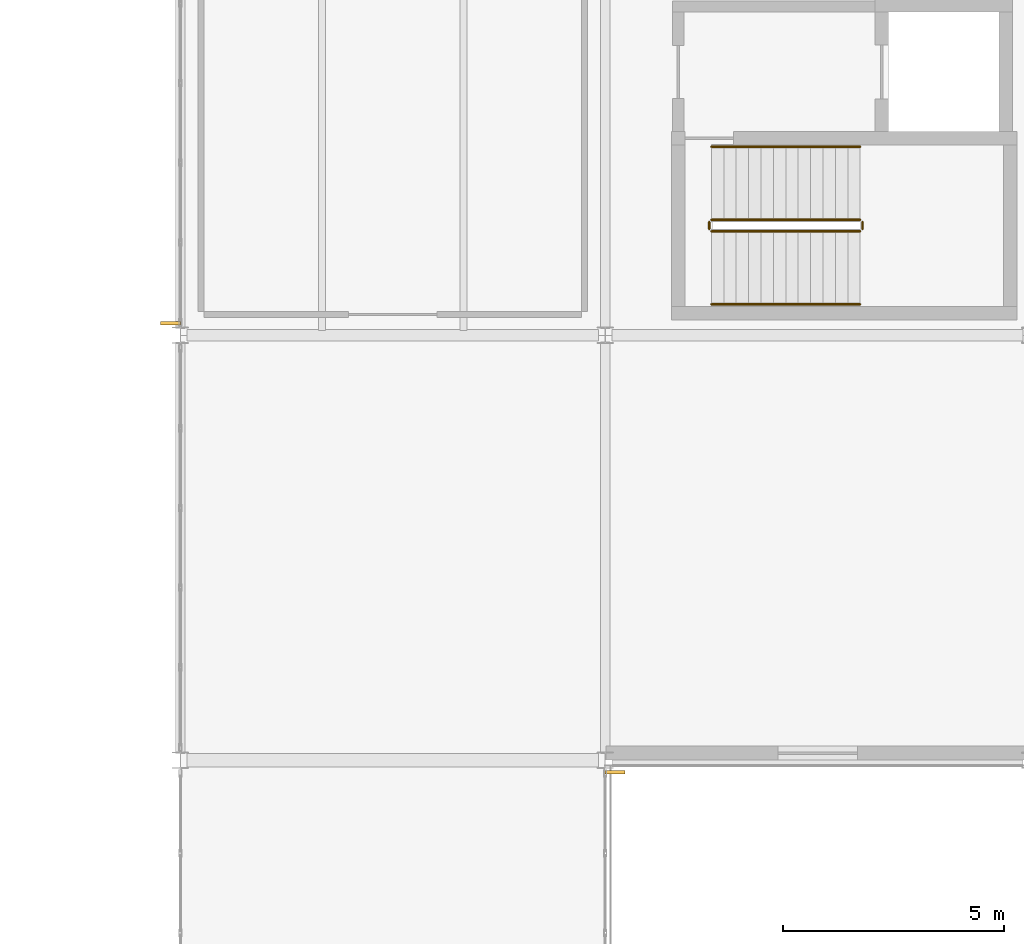
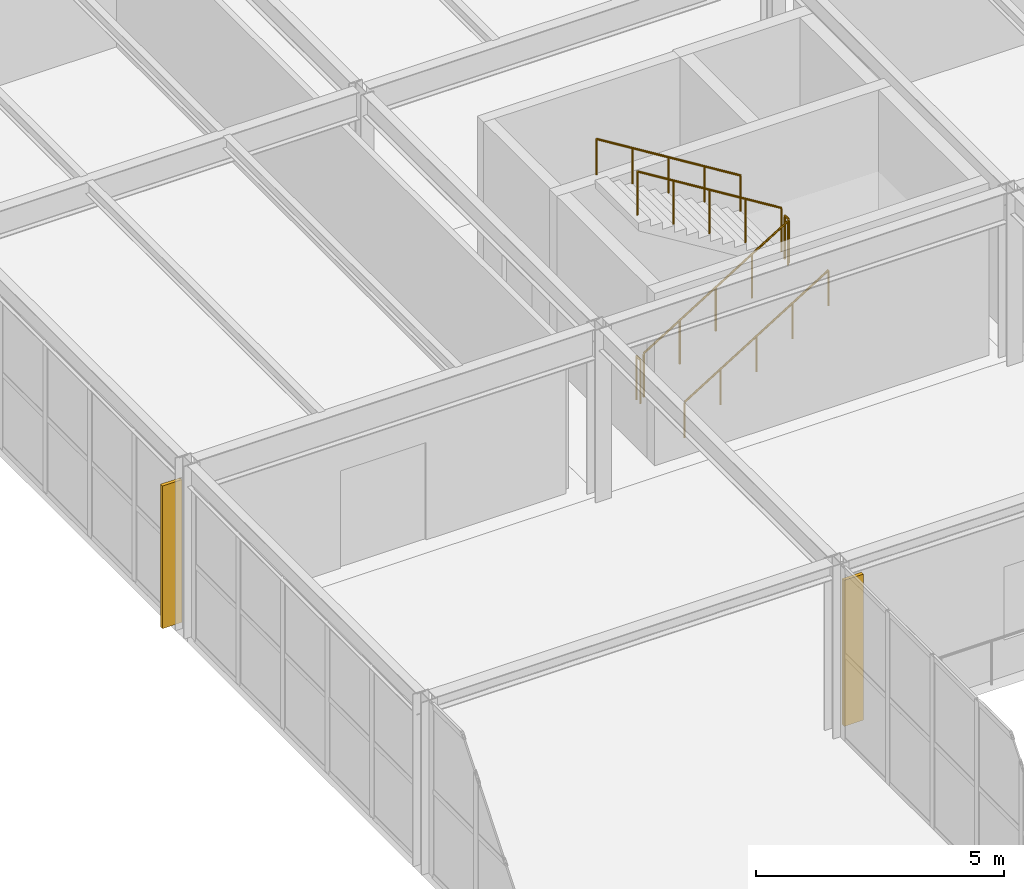
# One storey, part 164 of 170: 6 railings, 2 shading devices.
"""IFC4 building model written with IfcOpenShell, lengths in metres."""

import ifcopenshell
import ifcopenshell.guid

model = None  # the IFC model being written
_history = None  # IfcOwnerHistory: only IFC2X3 demands one
_inside = {}  # id of a spatial element -> (the spatial element, [elements in it])
_under = {}  # id of a project, library or spatial element -> (it, [spatial elements below it])
_declared = {}  # id of a project -> (the project, [libraries it declares])
_typed = {}  # id of a type object -> (the type object, [elements of that type])
_made_of = {}  # id of a material, layer set ... -> (it, [elements and type objects made of it])


def new_model(schema):
    """Start an empty IFC model of exactly this schema.

    Asked for "IFC4X3", IfcOpenShell would pick the latest addendum, in which some entities
    have other attributes; the version numbers below select the first issue.
    IFC2X3 requires an IfcOwnerHistory on every rooted entity: one is made here for all.
    """
    global model, _history
    if schema == "IFC4X3":
        model = ifcopenshell.file(schema_version=(4, 3, 0, 0))
    else:
        model = ifcopenshell.file(schema=schema)
    _inside.clear()
    _under.clear()
    _declared.clear()
    _typed.clear()
    _made_of.clear()
    _history = None
    if model.schema == "IFC2X3":
        org = make("IfcOrganization", Name="unknown")
        user = make(
            "IfcPersonAndOrganization",
            ThePerson=make("IfcPerson", FamilyName="unknown"),
            TheOrganization=org,
        )
        app = make(
            "IfcApplication",
            ApplicationDeveloper=org,
            Version="unknown",
            ApplicationFullName="unknown",
            ApplicationIdentifier="unknown",
        )
        _history = make(
            "IfcOwnerHistory",
            OwningUser=user,
            OwningApplication=app,
            ChangeAction="ADDED",
            CreationDate=0,
        )
    return model


def make(cls, **values):
    """One entity of the class cls with the attributes given. An attribute that is None is left unset."""
    return model.create_entity(
        cls, **{name: value for name, value in values.items() if value is not None}
    )


def rooted(cls, **values):
    """An entity with a GlobalId (a new one), such as an element, a storey or a relation."""
    return make(cls, GlobalId=ifcopenshell.guid.new(), OwnerHistory=_history, **values)


def si_unit(unit_type, name, prefix=None):
    """IfcSIUnit, for example si_unit("LENGTHUNIT", "METRE", prefix="MILLI")."""
    return make("IfcSIUnit", UnitType=unit_type, Prefix=prefix, Name=name)


def assignment(units):
    """IfcUnitAssignment: the units of a project."""
    return None if units is None else make("IfcUnitAssignment", Units=units)


def point(xyz):
    """IfcCartesianPoint."""
    return None if xyz is None else make("IfcCartesianPoint", Coordinates=xyz)


def direction(xyz):
    """IfcDirection."""
    return None if xyz is None else make("IfcDirection", DirectionRatios=xyz)


def frame(location, z_axis=None, x_axis=None):
    """IfcAxis2Placement3D, a coordinate frame: its origin and axes. An axis left out is left unset."""
    return make(
        "IfcAxis2Placement3D",
        Location=point(location),
        Axis=direction(z_axis),
        RefDirection=direction(x_axis),
    )


def frame_2d(location, x_axis=None):
    """IfcAxis2Placement2D, a coordinate frame in the plane: its origin and x axis."""
    return make(
        "IfcAxis2Placement2D", Location=point(location), RefDirection=direction(x_axis)
    )


def origin():
    """The frame at (0, 0, 0) with its axes left unset."""
    return frame((0.0, 0.0, 0.0))


def origin_2d():
    """The frame at (0, 0) in the plane with its x axis left unset."""
    return frame_2d((0.0, 0.0))


def place(relative_to, where):
    """IfcLocalPlacement: puts the frame where relative to a parent placement (None: the world)."""
    return make(
        "IfcLocalPlacement", PlacementRelTo=relative_to, RelativePlacement=where
    )


def context(
    kind, dimensions, precision=None, world=None, true_north=None, identifier=None
):
    """IfcGeometricRepresentationContext, for example the 3D "Model" context."""
    return make(
        "IfcGeometricRepresentationContext",
        ContextIdentifier=identifier,
        ContextType=kind,
        CoordinateSpaceDimension=dimensions,
        Precision=precision,
        WorldCoordinateSystem=world,
        TrueNorth=true_north,
    )


def subcontext(parent, identifier, kind, view, scale=None):
    """IfcGeometricRepresentationSubContext, for example "Body" below "Model"."""
    return make(
        "IfcGeometricRepresentationSubContext",
        ContextIdentifier=identifier,
        ContextType=kind,
        ParentContext=parent,
        TargetScale=scale,
        TargetView=view,
    )


def project(units=None, contexts=None):
    """IfcProject with its units and contexts."""
    return rooted(
        "IfcProject",
        Name="project",
        RepresentationContexts=contexts,
        UnitsInContext=assignment(units),
    )


def spatial(cls, under=None, at=None, **own):
    """A site, building, storey or space (cls), placed at a placement, below another one or the project."""
    s = rooted(cls, ObjectPlacement=at, **own)
    if under is not None:
        _under.setdefault(under.id(), (under, []))[1].append(s)
    return s


def profile(cls, at=None, kind="AREA", **sizes):
    """A parametric profile (cls). Its sizes go by their IFC names, for example OverallWidth=200.0."""
    return make(cls, ProfileType=kind, Position=at, **sizes)


def rectangle(**sizes):
    """IfcRectangleProfileDef."""
    return profile("IfcRectangleProfileDef", **sizes)


def circle(**sizes):
    """IfcCircleProfileDef."""
    return profile("IfcCircleProfileDef", **sizes)


def extrude(swept, where, along, depth):
    """IfcExtrudedAreaSolid: the profile swept, set in the frame where, extruded along a direction by depth."""
    return make(
        "IfcExtrudedAreaSolid",
        SweptArea=swept,
        Position=where,
        ExtrudedDirection=direction(along),
        Depth=depth,
    )


def shape(context_of_items, identifier, shape_type, items):
    """IfcShapeRepresentation: the items that make up one representation, for example the "Body"."""
    return make(
        "IfcShapeRepresentation",
        ContextOfItems=context_of_items,
        RepresentationIdentifier=identifier,
        RepresentationType=shape_type,
        Items=items,
    )


def material(Name=None, Category=None):
    """IfcMaterial."""
    return make("IfcMaterial", Name=Name, Category=Category)


def made_of(thing, what):
    """Note that an element or type object is made of a material, layer set ...; save() writes the relation."""
    if what is not None:
        _made_of.setdefault(what.id(), (what, []))[1].append(thing)
    return thing


def type_object(cls, material=None, **own):
    """A type object (cls), such as IfcWallType, which elements share."""
    return made_of(rooted(cls, **own), material)


def element(
    cls,
    number,
    at=None,
    inside=None,
    cuts=None,
    type_object=None,
    material=None,
    context=None,
    identifier="Body",
    shape_type=None,
    held_by="IfcProductDefinitionShape",
    body=None,
    shapes=None,
    **own,
):
    """One element of the class cls, such as IfcWall. Its Tag is "e" and its number.

    at: its placement. inside: the storey or other place that contains it. cuts: it is an
    opening in that element (IfcRelVoidsElement). A single representation is given by context,
    identifier, shape_type and body (its items); several are given by shapes. held_by: the class
    of the entity that holds the representations. save() writes the other relations.
    """
    e = rooted(cls, Tag="e%d" % number, ObjectPlacement=at, **own)
    if body is not None:
        shapes = [shape(context, identifier, shape_type, body)]
    if shapes is not None:
        e.Representation = make(held_by, Representations=shapes)
    if inside is not None:
        _inside.setdefault(inside.id(), (inside, []))[1].append(e)
    if cuts is not None:
        rooted(
            "IfcRelVoidsElement", RelatingBuildingElement=cuts, RelatedOpeningElement=e
        )
    if type_object is not None:
        _typed.setdefault(type_object.id(), (type_object, []))[1].append(e)
    return made_of(e, material)


def aggregate(whole, parts):
    """IfcRelAggregates: a whole, such as a stair, and the parts it consists of."""
    return rooted("IfcRelAggregates", RelatingObject=whole, RelatedObjects=parts)


def save(model, path):
    """Write the relations noted so far, then the file.

    IfcRelAggregates (storeys below a building ...), IfcRelContainedInSpatialStructure (elements
    in a storey), IfcRelDefinesByType, IfcRelAssociatesMaterial and IfcRelDeclares: one each for
    every whole, place, type object, material and project.
    """
    for whole, parts in _under.values():
        aggregate(whole, parts)
    for where, things in _inside.values():
        rooted(
            "IfcRelContainedInSpatialStructure",
            RelatedElements=things,
            RelatingStructure=where,
        )
    for kind, things in _typed.values():
        rooted("IfcRelDefinesByType", RelatedObjects=things, RelatingType=kind)
    for what, things in _made_of.values():
        rooted("IfcRelAssociatesMaterial", RelatedObjects=things, RelatingMaterial=what)
    for by, libraries in _declared.values():
        rooted("IfcRelDeclares", RelatingContext=by, RelatedDefinitions=libraries)
    model.write(path)


model = new_model("IFC4")

# Units and contexts
model_context = context("Model", 3, precision=1e-05, world=origin(), true_north=direction((0.0, 1.0)))
body_context = subcontext(model_context, "Body", "Model", "MODEL_VIEW")
ifc_project = project(units=[si_unit("LENGTHUNIT", "METRE"), si_unit("AREAUNIT", "SQUARE_METRE"), si_unit("VOLUMEUNIT", "CUBIC_METRE"), si_unit("PLANEANGLEUNIT", "RADIAN"), si_unit("MASSUNIT", "GRAM", prefix="KILO")], contexts=[model_context])

# Site, building, storey
site_placement = place(None, origin())
site = spatial("IfcSite", under=ifc_project, at=site_placement, CompositionType="ELEMENT")
building_placement = place(site_placement, origin())
building = spatial("IfcBuilding", under=site, at=building_placement, Name="Coralgate Yard Interchange", CompositionType="ELEMENT")
storey_placement = place(building_placement, frame((0.0, 0.0, 6.0)))
storey = spatial("IfcBuildingStorey", under=building, at=storey_placement, Name="L01", CompositionType="ELEMENT", Elevation=6.0)

# Railings
ifc_material_1 = material(Name="Grade 316 marine stainless steel and toughened glass balustrade", Category="steel")
railing_type_1 = type_object("IfcRailingType", Name="RLG-GD1100", PredefinedType="BALUSTRADE", material=ifc_material_1)
railing_1_placement = place(storey_placement, frame((50.39990234375, 79.14990234375, 0.173095703125)))
element("IfcRailing", 1, at=railing_1_placement, inside=storey, type_object=railing_type_1, Name="L01 ST-05 stair guard 1", PredefinedType="BALUSTRADE", context=body_context, shape_type="SweptSolid", body=[
    extrude(circle(Radius=0.02392578125, at=origin_2d()), frame((0.0, 0.0, 1.076171875), z_axis=(0.850623216509, 0.0, 0.525775754039), x_axis=(0.0, 1.0, 0.0)), (0.0, 0.0, 1.0), 3.9501953125),
    extrude(circle(Radius=0.02099609375, at=origin_2d()), origin(), (0.0, 0.0, 1.0), 1.051513671875),
    extrude(circle(Radius=0.02099609375, at=origin_2d()), frame((0.840087890625, 0.0, 0.519287109375)), (0.0, 0.0, 1.0), 1.051513671875),
    extrude(circle(Radius=0.02099609375, at=origin_2d()), frame((1.68017578125, 0.0, 1.03857421875)), (0.0, 0.0, 1.0), 1.051513671875),
    extrude(circle(Radius=0.02099609375, at=origin_2d()), frame((2.52001953125, 0.0, 1.5576171875)), (0.0, 0.0, 1.0), 1.051513671875),
    extrude(circle(Radius=0.02099609375, at=origin_2d()), frame((3.360107421875, 0.0, 2.076904296875)), (0.0, 0.0, 1.0), 1.051513671875),
])
railing_2_placement = place(storey_placement, frame((53.81005859375, 79.199951171875, 2.25)))
element("IfcRailing", 2, at=railing_2_placement, inside=storey, type_object=railing_type_1, Name="L01 ST-05 stair guard 2", PredefinedType="BALUSTRADE", context=body_context, shape_type="SweptSolid", body=[
    extrude(circle(Radius=0.02392578125, at=origin_2d()), frame((0.0, 0.0, 1.076171875), z_axis=(0.0, 1.0, 0.0), x_axis=(-1.0, 0.0, 0.0)), (0.0, 0.0, 1.0), 0.16015625),
    extrude(circle(Radius=0.02099609375, at=origin_2d()), origin(), (0.0, 0.0, 1.0), 1.051513671875),
    extrude(circle(Radius=0.02099609375, at=origin_2d()), frame((0.0, 0.16015625, 0.0)), (0.0, 0.0, 1.0), 1.051513671875),
])
railing_3_placement = place(storey_placement, frame((53.760009765625, 79.409912109375, 2.423095703125)))
element("IfcRailing", 3, at=railing_3_placement, inside=storey, type_object=railing_type_1, Name="L01 ST-05 stair guard 3", PredefinedType="BALUSTRADE", context=body_context, shape_type="SweptSolid", body=[
    extrude(circle(Radius=0.02392578125, at=origin_2d()), frame((0.0, 0.0, 1.076171875), z_axis=(-0.850623216509, 0.0, 0.525775754039), x_axis=(0.0, -1.0, 0.0)), (0.0, 0.0, 1.0), 3.9501953125),
    extrude(circle(Radius=0.02099609375, at=origin_2d()), origin(), (0.0, 0.0, 1.0), 1.051513671875),
    extrude(circle(Radius=0.02099609375, at=origin_2d()), frame((-0.840087890625, 0.0, 0.519287109375)), (0.0, 0.0, 1.0), 1.051513671875),
    extrude(circle(Radius=0.02099609375, at=origin_2d()), frame((-1.68017578125, 0.0, 1.03857421875)), (0.0, 0.0, 1.0), 1.051513671875),
    extrude(circle(Radius=0.02099609375, at=origin_2d()), frame((-2.52001953125, 0.0, 1.5576171875)), (0.0, 0.0, 1.0), 1.051513671875),
    extrude(circle(Radius=0.02099609375, at=origin_2d()), frame((-3.360107421875, 0.0, 2.076904296875)), (0.0, 0.0, 1.0), 1.051513671875),
])
railing_4_placement = place(storey_placement, frame((50.35009765625, 79.199951171875, 0.0)))
element("IfcRailing", 4, at=railing_4_placement, inside=storey, type_object=railing_type_1, Name="L01 ST-05 stair guard 4", PredefinedType="BALUSTRADE", context=body_context, shape_type="SweptSolid", body=[
    extrude(circle(Radius=0.02392578125, at=origin_2d()), frame((0.0, 0.0, 1.076171875), z_axis=(0.0, 1.0, 0.0), x_axis=(-1.0, 0.0, 0.0)), (0.0, 0.0, 1.0), 0.16015625),
    extrude(circle(Radius=0.02099609375, at=origin_2d()), origin(), (0.0, 0.0, 1.0), 1.051513671875),
    extrude(circle(Radius=0.02099609375, at=origin_2d()), frame((0.0, 0.16015625, 0.0)), (0.0, 0.0, 1.0), 1.051513671875),
])
ifc_material_2 = material(Name="Grade 316 marine stainless steel", Category="steel")
railing_type_2 = type_object("IfcRailingType", Name="RLG-HR900", PredefinedType="HANDRAIL", material=ifc_material_2)
railing_5_placement = place(storey_placement, frame((50.39990234375, 77.5, 0.173095703125)))
element("IfcRailing", 5, at=railing_5_placement, inside=storey, type_object=railing_type_2, Name="L01 ST-05 stair handrail 1", PredefinedType="HANDRAIL", context=body_context, shape_type="SweptSolid", body=[
    extrude(circle(Radius=0.02392578125, at=origin_2d()), frame((0.0, 0.0, 0.8759765625), z_axis=(0.850623216509, 0.0, 0.525775754039), x_axis=(0.0, 1.0, 0.0)), (0.0, 0.0, 1.0), 3.9501953125),
    extrude(circle(Radius=0.02099609375, at=origin_2d()), origin(), (0.0, 0.0, 1.0), 0.851318359375),
    extrude(circle(Radius=0.02099609375, at=origin_2d()), frame((0.840087890625, 0.0, 0.519287109375)), (0.0, 0.0, 1.0), 0.851318359375),
    extrude(circle(Radius=0.02099609375, at=origin_2d()), frame((1.68017578125, 0.0, 1.03857421875)), (0.0, 0.0, 1.0), 0.851318359375),
    extrude(circle(Radius=0.02099609375, at=origin_2d()), frame((2.52001953125, 0.0, 1.5576171875)), (0.0, 0.0, 1.0), 0.851318359375),
    extrude(circle(Radius=0.02099609375, at=origin_2d()), frame((3.360107421875, 0.0, 2.076904296875)), (0.0, 0.0, 1.0), 0.851318359375),
])
railing_6_placement = place(storey_placement, frame((53.760009765625, 81.06005859375, 2.423095703125)))
element("IfcRailing", 6, at=railing_6_placement, inside=storey, type_object=railing_type_2, Name="L01 ST-05 stair handrail 2", PredefinedType="HANDRAIL", context=body_context, shape_type="SweptSolid", body=[
    extrude(circle(Radius=0.02392578125, at=origin_2d()), frame((0.0, 0.0, 0.8759765625), z_axis=(-0.850623216509, 0.0, 0.525775754039), x_axis=(0.0, -1.0, 0.0)), (0.0, 0.0, 1.0), 3.9501953125),
    extrude(circle(Radius=0.02099609375, at=origin_2d()), origin(), (0.0, 0.0, 1.0), 0.851318359375),
    extrude(circle(Radius=0.02099609375, at=origin_2d()), frame((-0.840087890625, 0.0, 0.519287109375)), (0.0, 0.0, 1.0), 0.851318359375),
    extrude(circle(Radius=0.02099609375, at=origin_2d()), frame((-1.68017578125, 0.0, 1.03857421875)), (0.0, 0.0, 1.0), 0.851318359375),
    extrude(circle(Radius=0.02099609375, at=origin_2d()), frame((-2.52001953125, 0.0, 1.5576171875)), (0.0, 0.0, 1.0), 0.851318359375),
    extrude(circle(Radius=0.02099609375, at=origin_2d()), frame((-3.360107421875, 0.0, 2.076904296875)), (0.0, 0.0, 1.0), 0.851318359375),
])

# Shading devices
ifc_material_3 = material(Name="Anodised coastal aluminium vertical brise-soleil blade", Category="aluminium")
shading_device_type = type_object("IfcShadingDeviceType", Name="SHD-BS1", PredefinedType="SHUTTER", material=ifc_material_3)
shading_device_1_placement = place(storey_placement, frame((48.219970703125, 66.929931640625, 0.324951171875), z_axis=(0.0, 0.0, 1.0), x_axis=(0.0, -1.0, 0.0)))
element("IfcShadingDevice", 7, at=shading_device_1_placement, inside=storey, type_object=shading_device_type, Name="L01 coastal aluminium brise-soleil fin E-4-6", PredefinedType="SHUTTER", context=body_context, shape_type="SweptSolid", body=[
    extrude(rectangle(XDim=0.080078125, YDim=0.449951171875, at=origin_2d()), origin(), (0.0, 0.0, 1.0), 3.60009765625),
])
shading_device_2_placement = place(storey_placement, frame((38.179931640625, 77.070068359375, 0.10009765625), z_axis=(0.0, 0.0, 1.0), x_axis=(0.0, 1.0, 0.0)))
element("IfcShadingDevice", 8, at=shading_device_2_placement, inside=storey, type_object=shading_device_type, Name="L01 coastal aluminium brise-soleil fin W-4-8", PredefinedType="SHUTTER", context=body_context, shape_type="SweptSolid", body=[
    extrude(rectangle(XDim=0.080078125, YDim=0.449951171875, at=origin_2d()), origin(), (0.0, 0.0, 1.0), 3.516845703125),
])

save(model, "model.ifc")
